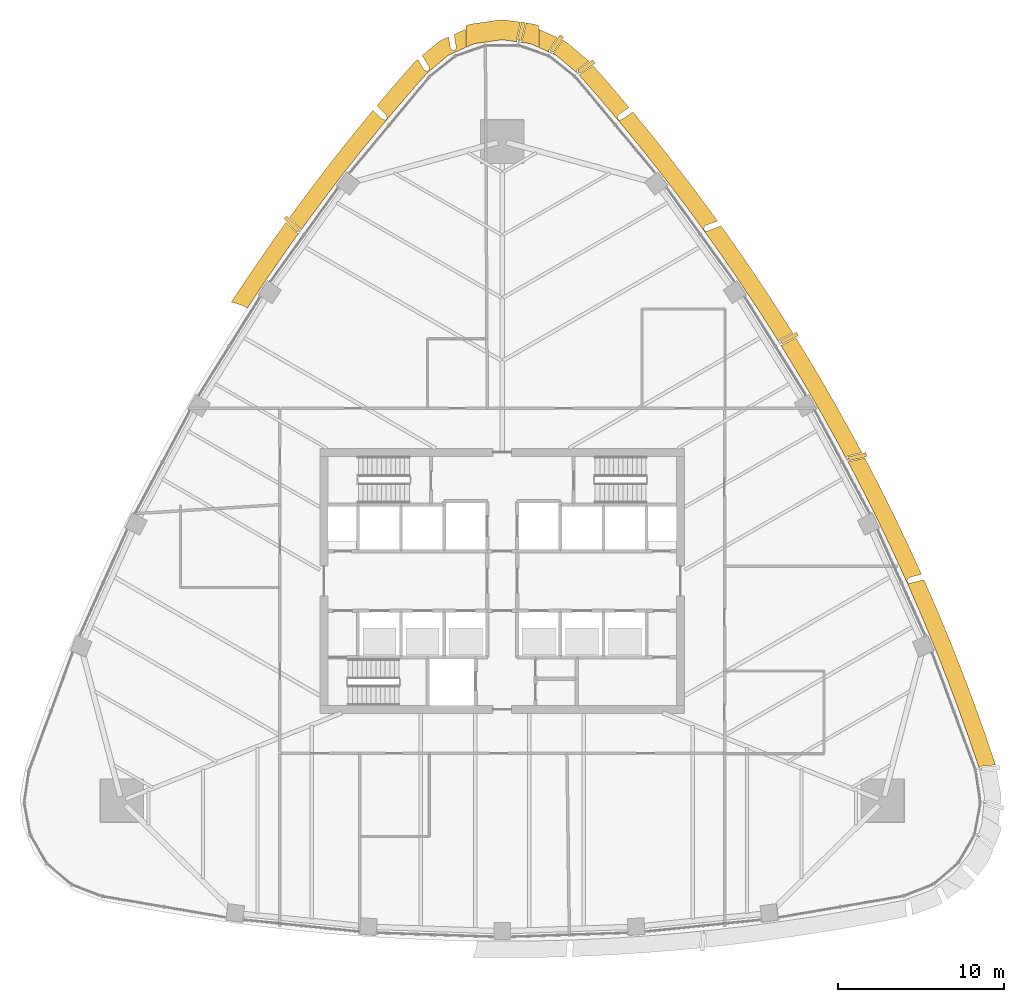
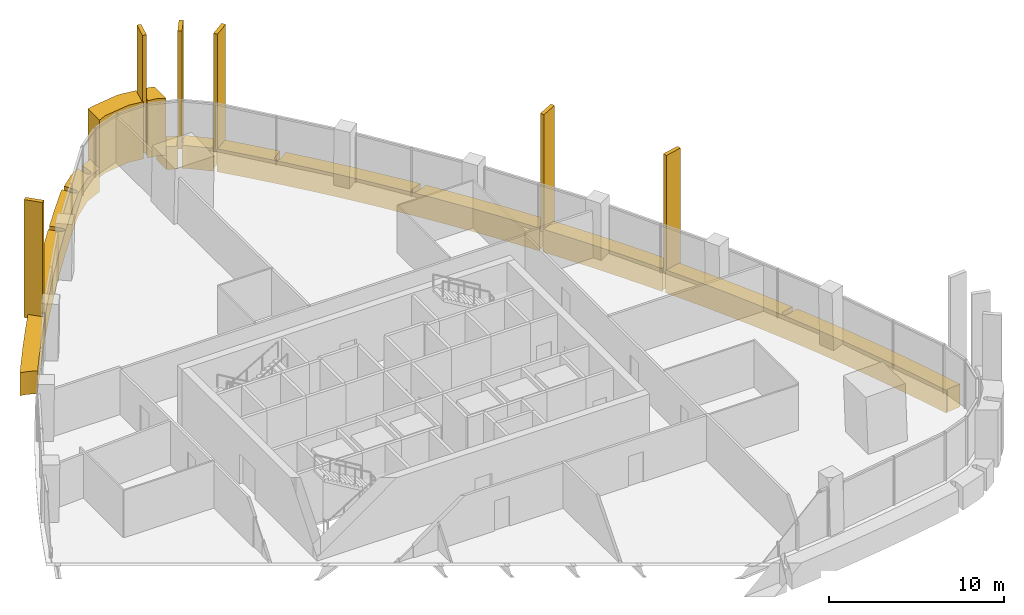
# One storey, part 16 of 17: 15 coverings.
"""IFC4 building model written with IfcOpenShell, lengths in metres."""

from ifc_helpers import new_model, si_unit, direction, frame, origin, origin_2d, place, context, subcontext, project, spatial, polyline, rectangle, outline, extrude, material, layer, layer_set, material_profile, profile_set, type_object, element, save


model = new_model("IFC4")

# Units and contexts
model_context = context("Model", 3, precision=1e-05, world=origin(), true_north=direction((0.0, 1.0)))
body_context = subcontext(model_context, "Body", "Model", "MODEL_VIEW")
ifc_project = project(units=[si_unit("LENGTHUNIT", "METRE"), si_unit("AREAUNIT", "SQUARE_METRE"), si_unit("VOLUMEUNIT", "CUBIC_METRE"), si_unit("PLANEANGLEUNIT", "RADIAN"), si_unit("MASSUNIT", "GRAM", prefix="KILO")], contexts=[model_context])

# Site, building, storey
site_placement = place(None, origin())
site = spatial("IfcSite", under=ifc_project, at=site_placement, CompositionType="ELEMENT")
building_placement = place(site_placement, origin())
building = spatial("IfcBuilding", under=site, at=building_placement, Name="Sierra Prisma Convention Tower", CompositionType="ELEMENT")
storey_placement = place(building_placement, frame((0.0, 0.0, 201.800048828125)))
storey = spatial("IfcBuildingStorey", under=building, at=storey_placement, Name="L45", CompositionType="ELEMENT", Elevation=201.800048828125)

# Coverings
ifc_material_1 = material(Name="Aluminium composite bronze anodised", Category="aluminium")
ifc_layer_1 = layer(ifc_material_1, 1.199951171875)
ifc_layer_set_1 = layer_set([ifc_layer_1], Name="Bronze corner pier")
covering_type_1 = type_object("IfcCoveringType", Name="Bronze corner pier", PredefinedType="CLADDING", material=ifc_layer_set_1)
covering_1_placement = place(storey_placement, frame((0.0, 0.0, -0.60009765625)))
element("IfcCovering", 1, at=covering_1_placement, inside=storey, type_object=covering_type_1, Name="Corner pier N L45.1", PredefinedType="CLADDING", context=body_context, shape_type="SweptSolid", body=[
    extrude(outline(polyline([(-1.864990234375, 33.57763671875), (-0.168212890625, 33.81787109375), (0.168212890625, 33.81787109375), (1.099609375, 33.68603515625), (0.85791015625, 32.64501953125), (0.857177734375, 32.639892578125), (0.856689453125, 32.635009765625), (0.85693359375, 32.6298828125), (0.857421875, 32.625), (0.858642578125, 32.6201171875), (0.8603515625, 32.615234375), (0.9052734375, 32.501708984375), (0.0, 32.629638671875), (-1.697021484375, 32.3896484375), (-2.199951171875, 32.163818359375), (-2.199951171875, 33.47900390625), (-2.188232421875, 33.484375), (-1.864990234375, 33.57763671875)])), origin(), (0.0, 0.0, 1.0), 4.0),
])
covering_2_placement = place(storey_placement, frame((0.0, 0.0, -0.60009765625)))
element("IfcCovering", 2, at=covering_2_placement, inside=storey, type_object=covering_type_1, Name="Corner pier N L45.2", PredefinedType="CLADDING", context=body_context, shape_type="SweptSolid", body=[
    extrude(outline(polyline([(2.188232421875, 33.484375), (2.199951171875, 33.47900390625), (2.199951171875, 32.163818359375), (1.697021484375, 32.3896484375), (1.12109375, 32.470947265625), (1.187255859375, 32.54345703125), (1.1904296875, 32.54736328125), (1.193359375, 32.551513671875), (1.19580078125, 32.55615234375), (1.197509765625, 32.560791015625), (1.198974609375, 32.56591796875), (1.447509765625, 33.63671875), (1.864990234375, 33.57763671875), (2.188232421875, 33.484375)])), origin(), (0.0, 0.0, 1.0), 4.0),
])
ifc_material_2 = material(Name="Aluminium 6063-T6 bronze anodised", Category="aluminium")
ifc_material_profile = material_profile(ifc_material_2, rectangle(XDim=1.10009765625, YDim=0.25, at=origin_2d()), Name="ALU FIN 1100x250")
ifc_profile_set = profile_set([ifc_material_profile], Name="Aluminium 6063-T6 bronze anodised")
covering_type_2 = type_object("IfcCoveringType", Name="Bronze facade fin", PredefinedType="CLADDING", material=ifc_profile_set)
for number, where, z_axis, x_axis, name in (
    (3, (21.4130859375, 7.4931640625, -0.300048828125), (0.0, 0.0, 1.0), (0.973841232817, 0.227229516713, 0.0), "Fin L45.30"),
    (4, (17.310546875, 14.644775390625, -0.300048828125), (0.0, 0.0, 1.0), (0.892065982778, 0.451905169666, 0.0), "Fin L45.33"),
    (5, (5.07080078125, 31.00732421875, -0.300048828125), (0.0, 0.0, 1.0), (0.821958554382, 0.569547306971, 0.0), "Fin L45.40"),
    (6, (3.28759765625, 32.40087890625, -0.300048828125), (0.0, 0.0, 1.0), (0.561632935863, 0.82738651509, 0.0), "Fin L45.41"),
    (7, (1.15283203125, 33.14111328125, -0.300048828125), (0.0, 0.0, 1.0), (0.225907823368, 0.974148682359, 0.0), "Fin L45.42"),
    (8, (-12.68359375, 21.52392578125, -0.300048828125), (0.0, 0.0, 1.0), (-0.699688896691, 0.71444765228, 0.0), "Fin L45.49"),
):
    element("IfcCovering", number, at=place(storey_placement, frame(where, z_axis=z_axis, x_axis=x_axis)), inside=storey, type_object=covering_type_2, Name=name, ObjectType="FIN", PredefinedType="CLADDING", context=body_context, shape_type="SweptSolid", body=[
        extrude(rectangle(XDim=1.10009765625, YDim=0.25, at=origin_2d()), origin(), (0.0, 0.0, 1.0), 8.25),
    ])
ifc_material_3 = material(Name="Aluminium composite bronze anodised", Category="aluminium")
ifc_layer_2 = layer(ifc_material_3, 1.0)
ifc_layer_set_2 = layer_set([ifc_layer_2], Name="Bronze spandrel band")
covering_type_3 = type_object("IfcCoveringType", Name="Bronze spandrel band", PredefinedType="CLADDING", material=ifc_layer_set_2)
covering_3_placement = place(storey_placement, frame((0.0, 0.0, -1.60009765625)))
element("IfcCovering", 9, at=covering_3_placement, inside=storey, type_object=covering_type_3, Name="Spandrel band L45.1", PredefinedType="CLADDING", context=body_context, shape_type="SweptSolid", body=[
    extrude(outline(polyline([(-16.0703125, 17.20849609375), (-16.061279296875, 17.22216796875), (-14.97900390625, 18.84326171875), (-14.9697265625, 18.856689453125), (-13.861083984375, 20.460205078125), (-13.8515625, 20.473388671875), (-13.02734375, 21.624755859375), (-12.423828125, 21.00830078125), (-12.42041015625, 21.005126953125), (-12.416748046875, 21.00244140625), (-12.412841796875, 21.0), (-12.40869140625, 20.997802734375), (-12.404296875, 20.99609375), (-12.39990234375, 20.994873046875), (-12.395263671875, 20.993896484375), (-12.262939453125, 20.974609375), (-13.03857421875, 19.891357421875), (-14.147216796875, 18.2880859375), (-15.229736328125, 16.6669921875), (-15.373291015625, 16.444091796875), (-15.5703125, 16.5537109375), (-15.79736328125, 16.652587890625), (-16.032958984375, 16.728515625), (-16.27490234375, 16.781005859375), (-16.341064453125, 16.78857421875), (-16.0703125, 17.20849609375)])), origin(), (0.0, 0.0, 1.0), 1.60009765625),
])
covering_4_placement = place(storey_placement, frame((0.0, 0.0, -1.60009765625)))
element("IfcCovering", 10, at=covering_4_placement, inside=storey, type_object=covering_type_3, Name="Spandrel band L45.3", PredefinedType="CLADDING", context=body_context, shape_type="SweptSolid", body=[
    extrude(outline(polyline([(-10.3515625, 25.1982421875), (-10.341552734375, 25.211181640625), (-9.130859375, 26.73876953125), (-9.12060546875, 26.75146484375), (-7.885009765625, 28.25927734375), (-7.874755859375, 28.271728515625), (-7.78369140625, 28.37939453125), (-7.24951171875, 27.8408203125), (-7.245849609375, 27.83740234375), (-7.24169921875, 27.834228515625), (-7.237548828125, 27.831787109375), (-7.23291015625, 27.82958984375), (-7.228271484375, 27.827880859375), (-7.223388671875, 27.826904296875), (-7.0751953125, 27.799072265625), (-7.070556640625, 27.79833984375), (-7.065673828125, 27.798095703125), (-7.060791015625, 27.798583984375), (-7.05615234375, 27.79931640625), (-7.051513671875, 27.80029296875), (-7.047119140625, 27.802001953125), (-7.042724609375, 27.803955078125), (-7.03857421875, 27.806396484375), (-7.03466796875, 27.80908203125), (-7.031005859375, 27.8125), (-7.02783203125, 27.81591796875), (-6.96337890625, 27.89208984375), (-6.960205078125, 27.89599609375), (-6.957763671875, 27.900146484375), (-6.95556640625, 27.904541015625), (-6.953857421875, 27.9091796875), (-6.95263671875, 27.913818359375), (-6.951904296875, 27.918701171875), (-6.951416015625, 27.92333984375), (-6.95166015625, 27.92822265625), (-6.9521484375, 27.93310546875), (-6.953125, 27.937744140625), (-6.98828125, 28.065185546875), (-6.989990234375, 28.070068359375), (-6.9921875, 28.07470703125), (-6.99462890625, 28.0791015625), (-6.99755859375, 28.083251953125), (-7.001220703125, 28.087158203125), (-7.556396484375, 28.6474609375), (-6.61474609375, 29.759521484375), (-6.604248046875, 29.771728515625), (-5.3203125, 31.238525390625), (-5.21435546875, 31.3427734375), (-5.091552734375, 31.44677734375), (-4.728271484375, 30.824951171875), (-4.725830078125, 30.821044921875), (-4.722900390625, 30.8173828125), (-4.7197265625, 30.81396484375), (-4.71630859375, 30.810791015625), (-4.71240234375, 30.80810546875), (-4.70849609375, 30.805908203125), (-4.7041015625, 30.803955078125), (-4.556884765625, 30.7431640625), (-4.552001953125, 30.741455078125), (-4.54736328125, 30.740234375), (-4.54248046875, 30.739501953125), (-4.537353515625, 30.7392578125), (-4.532470703125, 30.739501953125), (-4.527587890625, 30.740478515625), (-4.522705078125, 30.74169921875), (-4.51806640625, 30.743408203125), (-4.513671875, 30.74560546875), (-4.509521484375, 30.748291015625), (-4.50537109375, 30.751220703125), (-4.42919921875, 30.81591796875), (-4.42529296875, 30.8193359375), (-4.422119140625, 30.8232421875), (-4.4189453125, 30.82763671875), (-4.41650390625, 30.83203125), (-4.41455078125, 30.8369140625), (-4.4130859375, 30.841796875), (-4.412109375, 30.846923828125), (-4.41162109375, 30.85205078125), (-4.41162109375, 30.857177734375), (-4.41943359375, 30.9794921875), (-4.419921875, 30.98388671875), (-4.4208984375, 30.988525390625), (-4.422119140625, 30.992919921875), (-4.424072265625, 30.997314453125), (-4.426025390625, 31.00146484375), (-4.820556640625, 31.676513671875), (-3.906982421875, 32.45068359375), (-3.669921875, 32.60009765625), (-3.23291015625, 32.79638671875), (-3.124755859375, 32.126220703125), (-3.123779296875, 32.121337890625), (-3.122314453125, 32.11669921875), (-3.1201171875, 32.112060546875), (-3.117919921875, 32.107666015625), (-3.114990234375, 32.103759765625), (-3.11181640625, 32.099853515625), (-3.108154296875, 32.096435546875), (-2.981201171875, 31.986328125), (-2.9775390625, 31.9833984375), (-2.973388671875, 31.98095703125), (-2.96923828125, 31.978759765625), (-2.96484375, 31.97705078125), (-2.96044921875, 31.9755859375), (-2.955810546875, 31.974609375), (-2.950927734375, 31.974365234375), (-2.9462890625, 31.974365234375), (-2.941650390625, 31.974609375), (-2.93701171875, 31.9755859375), (-2.932373046875, 31.976806640625), (-2.927978515625, 31.978515625), (-2.8369140625, 32.01953125), (-2.83251953125, 32.021728515625), (-2.828125, 32.0244140625), (-2.82421875, 32.027587890625), (-2.82080078125, 32.031005859375), (-2.8173828125, 32.034912109375), (-2.814697265625, 32.038818359375), (-2.812255859375, 32.043212890625), (-2.810302734375, 32.047607421875), (-2.808837890625, 32.052490234375), (-2.7802734375, 32.161376953125), (-2.779296875, 32.16650390625), (-2.77880859375, 32.171630859375), (-2.77880859375, 32.177001953125), (-2.779296875, 32.18212890625), (-2.90234375, 32.944580078125), (-2.2099609375, 33.25537109375), (-2.2099609375, 32.1591796875), (-3.260498046875, 31.68798828125), (-4.56787109375, 30.579833984375), (-5.851806640625, 29.113037109375), (-7.111572265625, 27.62548828125), (-8.346923828125, 26.11767578125), (-9.557861328125, 24.590087890625), (-10.743408203125, 23.042724609375), (-11.90380859375, 21.476318359375), (-12.1357421875, 21.15234375), (-12.161865234375, 21.233642578125), (-12.163330078125, 21.23779296875), (-12.16552734375, 21.2421875), (-12.16796875, 21.24609375), (-12.170654296875, 21.249755859375), (-12.173583984375, 21.25341796875), (-12.820556640625, 21.913818359375), (-12.717041015625, 22.05859375), (-12.70751953125, 22.071533203125), (-11.547119140625, 23.637939453125), (-11.537109375, 23.65087890625), (-10.3515625, 25.1982421875)])), origin(), (0.0, 0.0, 1.0), 1.60009765625),
])
covering_5_placement = place(storey_placement, frame((0.0, 0.0, -1.60009765625)))
element("IfcCovering", 11, at=covering_5_placement, inside=storey, type_object=covering_type_3, Name="Spandrel band L45.4", PredefinedType="CLADDING", context=body_context, shape_type="SweptSolid", body=[
    extrude(outline(polyline([(2.829345703125, 32.035888671875), (2.82763671875, 32.03173828125), (2.826416015625, 32.027099609375), (2.82568359375, 32.022705078125), (2.8251953125, 32.01806640625), (2.8251953125, 32.013427734375), (2.83251953125, 31.8798828125), (2.2099609375, 32.1591796875), (2.2099609375, 33.25537109375), (3.318359375, 32.758056640625), (2.833740234375, 32.044189453125), (2.831298828125, 32.040283203125), (2.829345703125, 32.035888671875)])), origin(), (0.0, 0.0, 1.0), 1.60009765625),
])
covering_6_placement = place(storey_placement, frame((0.0, 0.0, -1.60009765625)))
element("IfcCovering", 12, at=covering_6_placement, inside=storey, type_object=covering_type_3, Name="Spandrel band L45.5", PredefinedType="CLADDING", context=body_context, shape_type="SweptSolid", body=[
    extrude(outline(polyline([(4.511474609375, 30.83154296875), (4.50830078125, 30.82763671875), (4.50537109375, 30.823486328125), (4.5029296875, 30.8193359375), (4.500732421875, 30.814697265625), (4.499267578125, 30.81005859375), (4.4609375, 30.67041015625), (3.260498046875, 31.68798828125), (3.031982421875, 31.790283203125), (3.1064453125, 31.83203125), (3.1103515625, 31.83447265625), (3.114013671875, 31.83740234375), (3.117431640625, 31.84033203125), (3.12060546875, 31.843994140625), (3.123291015625, 31.84765625), (3.642578125, 32.612548828125), (3.669921875, 32.60009765625), (3.906982421875, 32.45068359375), (5.21435546875, 31.3427734375), (5.22802734375, 31.3291015625), (4.51904296875, 30.837890625), (4.51513671875, 30.8349609375), (4.511474609375, 30.83154296875)])), origin(), (0.0, 0.0, 1.0), 1.60009765625),
])
covering_7_placement = place(storey_placement, frame((0.0, 0.0, -1.60009765625)))
element("IfcCovering", 13, at=covering_7_placement, inside=storey, type_object=covering_type_3, Name="Spandrel band L45.6", PredefinedType="CLADDING", context=body_context, shape_type="SweptSolid", body=[
    extrude(outline(polyline([(7.010498046875, 28.09228515625), (7.00830078125, 28.087890625), (7.006103515625, 28.083251953125), (6.95458984375, 27.941650390625), (6.952880859375, 27.937255859375), (6.9521484375, 27.9326171875), (6.951416015625, 27.927734375), (6.951416015625, 27.9228515625), (6.951904296875, 27.918212890625), (6.95263671875, 27.91357421875), (6.9541015625, 27.90869140625), (6.955810546875, 27.904296875), (6.957763671875, 27.900146484375), (6.96044921875, 27.89599609375), (6.96337890625, 27.89208984375), (7.02783203125, 27.81591796875), (7.03125, 27.8125), (7.034912109375, 27.80908203125), (7.038818359375, 27.806396484375), (7.04296875, 27.803955078125), (7.04736328125, 27.8017578125), (7.052001953125, 27.80029296875), (7.056640625, 27.799072265625), (7.0615234375, 27.79833984375), (7.06640625, 27.798095703125), (7.0712890625, 27.798583984375), (7.20263671875, 27.81201171875), (7.207763671875, 27.81298828125), (7.212646484375, 27.814208984375), (7.21728515625, 27.81591796875), (7.221923828125, 27.818359375), (7.226318359375, 27.821044921875), (7.870849609375, 28.2763671875), (7.874755859375, 28.271728515625), (7.885009765625, 28.25927734375), (9.12060546875, 26.75146484375), (9.130859375, 26.73876953125), (10.341552734375, 25.211181640625), (10.3515625, 25.1982421875), (11.537109375, 23.65087890625), (11.547119140625, 23.637939453125), (12.70751953125, 22.071533203125), (12.717041015625, 22.05859375), (12.974365234375, 21.698974609375), (12.25927734375, 21.430419921875), (12.254638671875, 21.42822265625), (12.250244140625, 21.42578125), (12.24609375, 21.423095703125), (12.242431640625, 21.419921875), (12.239013671875, 21.416259765625), (12.23583984375, 21.412353515625), (12.2333984375, 21.408203125), (12.150634765625, 21.261962890625), (12.1484375, 21.2578125), (12.146728515625, 21.25341796875), (12.1455078125, 21.248779296875), (12.14453125, 21.244140625), (12.14404296875, 21.239501953125), (12.14404296875, 21.234619140625), (12.14453125, 21.22998046875), (12.1455078125, 21.225341796875), (12.14697265625, 21.220703125), (12.148681640625, 21.21630859375), (12.15087890625, 21.212158203125), (12.1533203125, 21.208251953125), (12.211669921875, 21.126953125), (12.214599609375, 21.123046875), (12.218017578125, 21.119384765625), (12.221923828125, 21.1162109375), (12.22607421875, 21.11328125), (12.230224609375, 21.111083984375), (12.23486328125, 21.109130859375), (12.239501953125, 21.107666015625), (12.244384765625, 21.106689453125), (12.24951171875, 21.106201171875), (12.36181640625, 21.099609375), (12.366943359375, 21.099609375), (12.372314453125, 21.10009765625), (12.377197265625, 21.10107421875), (12.38232421875, 21.102783203125), (13.185302734375, 21.404296875), (13.8515625, 20.473388671875), (13.861083984375, 20.460205078125), (14.9697265625, 18.856689453125), (14.97900390625, 18.84326171875), (16.061279296875, 17.22216796875), (16.0703125, 17.20849609375), (17.126220703125, 15.570068359375), (17.135009765625, 15.55615234375), (17.51513671875, 14.944580078125), (16.74072265625, 14.552490234375), (16.736328125, 14.5498046875), (16.732421875, 14.547119140625), (16.728515625, 14.543701171875), (16.72509765625, 14.5400390625), (16.721923828125, 14.535888671875), (16.719482421875, 14.53173828125), (16.6611328125, 14.42431640625), (16.28564453125, 15.0283203125), (15.229736328125, 16.6669921875), (14.147216796875, 18.2880859375), (13.03857421875, 19.891357421875), (11.90380859375, 21.476318359375), (10.743408203125, 23.042724609375), (9.557861328125, 24.590087890625), (8.346923828125, 26.11767578125), (7.111572265625, 27.62548828125), (5.851806640625, 29.113037109375), (4.614990234375, 30.526123046875), (4.69921875, 30.542236328125), (4.704345703125, 30.54345703125), (4.709228515625, 30.545166015625), (4.7138671875, 30.547607421875), (4.718505859375, 30.55029296875), (5.468017578125, 31.069580078125), (6.604248046875, 29.771728515625), (6.61474609375, 29.759521484375), (7.643798828125, 28.54443359375), (7.0244140625, 28.106689453125), (7.0205078125, 28.103759765625), (7.0166015625, 28.10009765625), (7.013427734375, 28.096435546875), (7.010498046875, 28.09228515625)])), origin(), (0.0, 0.0, 1.0), 1.60009765625),
])
covering_8_placement = place(storey_placement, frame((0.0, 0.0, -1.60009765625)))
element("IfcCovering", 14, at=covering_8_placement, inside=storey, type_object=covering_type_3, Name="Spandrel band L45.7", PredefinedType="CLADDING", context=body_context, shape_type="SweptSolid", body=[
    extrude(outline(polyline([(21.67919921875, 7.735107421875), (20.837646484375, 7.538818359375), (20.8330078125, 7.537353515625), (20.828369140625, 7.535400390625), (20.823974609375, 7.533203125), (20.819580078125, 7.530517578125), (20.81591796875, 7.52734375), (20.812255859375, 7.52392578125), (20.80908203125, 7.52001953125), (20.72216796875, 7.404296875), (20.238525390625, 8.30859375), (19.29150390625, 10.012451171875), (18.31689453125, 11.70068359375), (17.314697265625, 13.372802734375), (16.7763671875, 14.239013671875), (16.874267578125, 14.23486328125), (16.87939453125, 14.23486328125), (16.884521484375, 14.235595703125), (16.889404296875, 14.236572265625), (16.894287109375, 14.238037109375), (16.89892578125, 14.240234375), (17.70068359375, 14.646240234375), (18.1640625, 13.900634765625), (18.172607421875, 13.88671875), (19.174560546875, 12.214599609375), (19.182861328125, 12.20068359375), (20.157470703125, 10.512451171875), (20.16552734375, 10.498291015625), (21.112548828125, 8.79443359375), (21.120361328125, 8.7802734375), (21.67919921875, 7.735107421875)])), origin(), (0.0, 0.0, 1.0), 1.60009765625),
])
covering_9_placement = place(storey_placement, frame((0.0, 0.0, -1.60009765625)))
element("IfcCovering", 15, at=covering_9_placement, inside=storey, type_object=covering_type_3, Name="Spandrel band L45.8", PredefinedType="CLADDING", context=body_context, shape_type="SweptSolid", body=[
    extrude(outline(polyline([(24.53369140625, 0.20703125), (24.529296875, 0.205810546875), (24.525146484375, 0.203857421875), (24.52099609375, 0.201904296875), (24.51708984375, 0.19921875), (24.513427734375, 0.1962890625), (24.510009765625, 0.193115234375), (24.507080078125, 0.189697265625), (24.408203125, 0.064453125), (24.4052734375, 0.060546875), (24.40283203125, 0.05615234375), (24.40087890625, 0.051513671875), (24.399169921875, 0.046875), (24.398193359375, 0.0419921875), (24.397705078125, 0.037109375), (24.3974609375, 0.031982421875), (24.397705078125, 0.027099609375), (24.398681640625, 0.022216796875), (24.400146484375, 0.017578125), (24.40185546875, 0.0126953125), (24.443115234375, -0.078125), (24.445556640625, -0.082763671875), (24.448486328125, -0.087158203125), (24.45166015625, -0.091064453125), (24.455322265625, -0.0947265625), (24.45947265625, -0.097900390625), (24.463623046875, -0.100830078125), (24.46826171875, -0.103271484375), (24.47314453125, -0.10498046875), (24.478271484375, -0.1064453125), (24.597900390625, -0.13232421875), (24.6025390625, -0.133056640625), (24.607177734375, -0.133544921875), (24.61181640625, -0.13330078125), (24.616455078125, -0.1328125), (24.620849609375, -0.1318359375), (25.4208984375, 0.07373046875), (25.461669921875, -0.01611328125), (25.46826171875, -0.031005859375), (26.24462890625, -1.819091796875), (26.2509765625, -1.833984375), (26.998046875, -3.634521484375), (27.004150390625, -3.6494140625), (27.721923828125, -5.4619140625), (27.727783203125, -5.47705078125), (28.415771484375, -7.301025390625), (28.42138671875, -7.31640625), (29.079833984375, -9.151123046875), (29.085205078125, -9.16650390625), (29.71337890625, -11.01171875), (29.734619140625, -11.093505859375), (28.875, -11.1728515625), (28.8701171875, -11.173583984375), (28.865234375, -11.1748046875), (28.8603515625, -11.176513671875), (28.85595703125, -11.1787109375), (28.8515625, -11.181396484375), (28.84765625, -11.184326171875), (28.7451171875, -11.27001953125), (28.138427734375, -9.48876953125), (27.480224609375, -7.654052734375), (26.7919921875, -5.830078125), (26.074462890625, -4.017578125), (25.327392578125, -2.21728515625), (24.551025390625, -0.42919921875), (23.74560546875, 1.345947265625), (22.91162109375, 3.10791015625), (22.048828125, 4.85595703125), (21.15771484375, 6.589599609375), (20.825439453125, 7.2109375), (20.896484375, 7.197509765625), (20.901611328125, 7.19677734375), (20.906982421875, 7.196533203125), (20.912109375, 7.197021484375), (20.917236328125, 7.197998046875), (21.85009765625, 7.41552734375), (22.03955078125, 7.061279296875), (22.047119140625, 7.046875), (22.938232421875, 5.31298828125), (22.945556640625, 5.298583984375), (23.80810546875, 3.550537109375), (23.815185546875, 3.535888671875), (24.6494140625, 1.77392578125), (24.65625, 1.75927734375), (25.274169921875, 0.397216796875), (24.53369140625, 0.20703125)])), origin(), (0.0, 0.0, 1.0), 1.60009765625),
])

save(model, "model.ifc")
